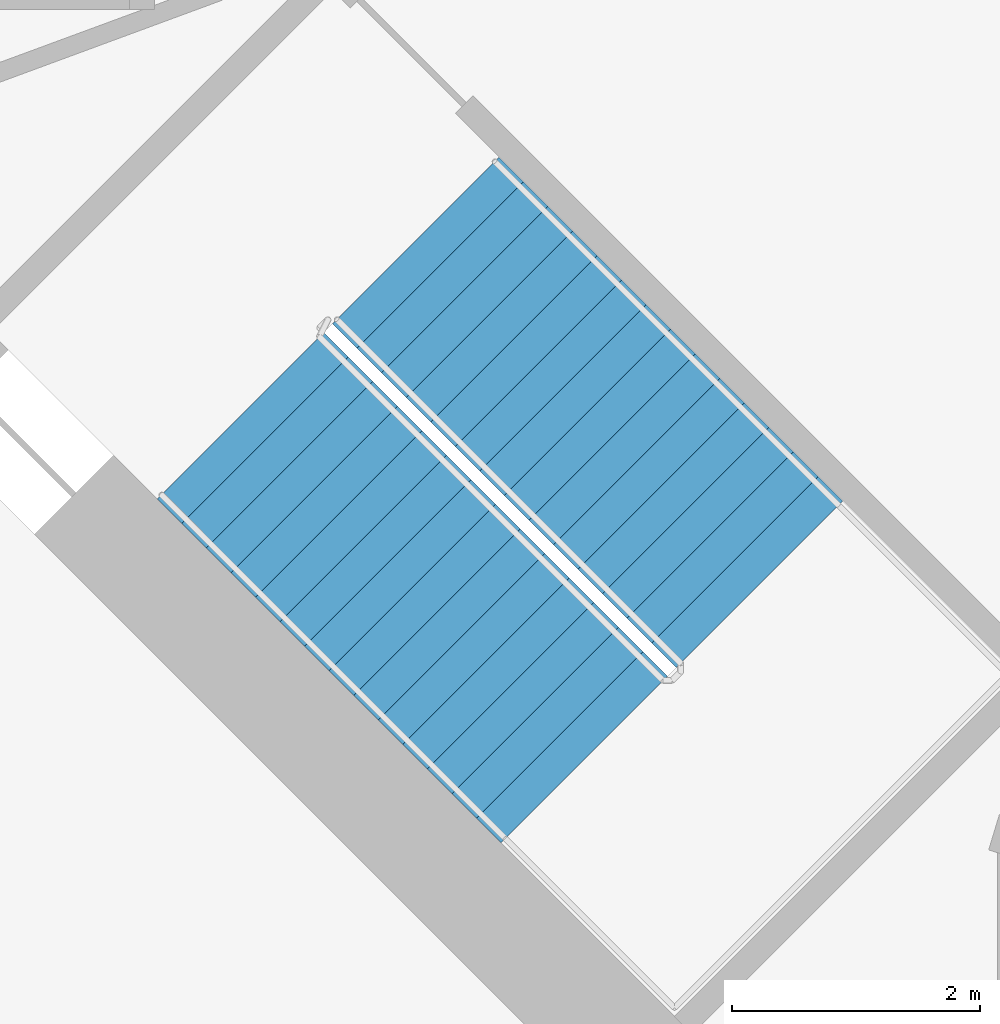
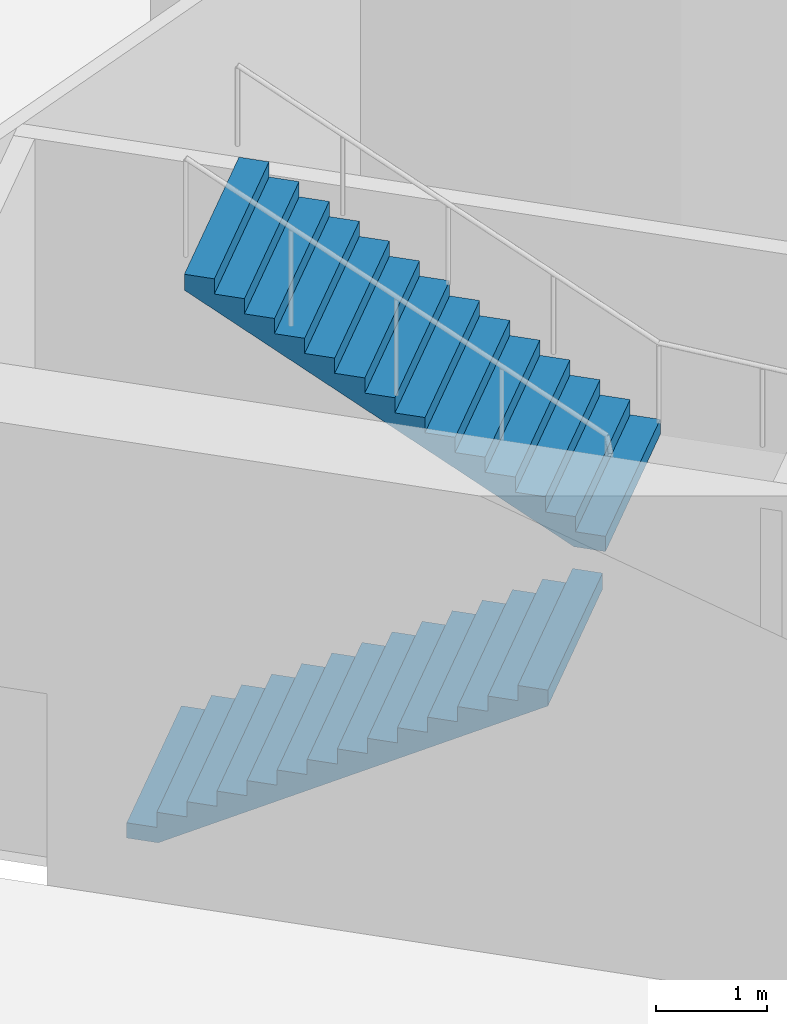
# One storey, part 13 of 16: 2 stair flights, 1 element without a shape of its own.
"""IFC4 building model written with IfcOpenShell, lengths in metres."""

from ifc_helpers import new_model, si_unit, direction, frame, origin, place, context, subcontext, project, spatial, triangles, material, type_object, element, aggregate, save


model = new_model("IFC4")

# Units and contexts
model_context = context("Model", 3, precision=1e-05, world=origin(), true_north=direction((0.0, 1.0)))
body_context = subcontext(model_context, "Body", "Model", "MODEL_VIEW")
ifc_project = project(units=[si_unit("LENGTHUNIT", "METRE"), si_unit("AREAUNIT", "SQUARE_METRE"), si_unit("VOLUMEUNIT", "CUBIC_METRE"), si_unit("PLANEANGLEUNIT", "RADIAN"), si_unit("MASSUNIT", "GRAM", prefix="KILO")], contexts=[model_context])

# Site, building, storey
site_placement = place(None, origin())
site = spatial("IfcSite", under=ifc_project, at=site_placement, CompositionType="ELEMENT")
building_placement = place(site_placement, origin())
building = spatial("IfcBuilding", under=site, at=building_placement, Name="Verdalira Terraces Hotel", CompositionType="ELEMENT")
storey_placement = place(building_placement, frame((0.0, 0.0, 34.0)))
storey = spatial("IfcBuildingStorey", under=building, at=storey_placement, Name="L06", CompositionType="ELEMENT", Elevation=34.0)

# Stair, stair flights
ifc_material_1 = material(Name="Concrete C40", Category="concrete")
stair_type = type_object("IfcStairType", Name="Core stair 30 risers 1900 mm wide", PredefinedType="HALF_TURN_STAIR", material=ifc_material_1)
stair_placement = place(storey_placement, origin())
stair = element("IfcStair", 1, at=stair_placement, inside=storey, type_object=stair_type, Name="L06 Exit stair ST2", PredefinedType="HALF_TURN_STAIR")
ifc_material_2 = material(Name="Concrete C40", Category="concrete")
stair_flight_type = type_object("IfcStairFlightType", Name="Core stair flight 30 risers 1900 mm wide", PredefinedType="STRAIGHT", material=ifc_material_2)
stair_flight_1_placement = place(storey_placement, frame((-10.005615, -7.177246, 0.0), z_axis=(0.0, 0.0, 1.0), x_axis=(0.707106781, -0.707106781, 0.0)))
stair_flight_1 = element("IfcStairFlight", 2, at=stair_flight_1_placement, type_object=stair_flight_type, Name="ST2 flight 1", NumberOfRisers=15, NumberOfTreads=14, PredefinedType="STRAIGHT", RiserHeight=0.166666667, TreadLength=0.28, context=body_context, shape_type="Tessellation", body=[
    triangles([(0.0, 0.949951, 0.0), (0.292969, 0.949951, 0.0), (3.919922, 0.949951, 2.158936), (0.0, -0.949951, 0.0), (0.292969, -0.949951, 0.0), (3.919922, -0.949951, 2.158936), (3.919922, 0.949951, 2.333252), (3.639893, 0.949951, 2.333252), (3.919922, -0.949951, 2.333252), (3.639893, -0.949951, 2.333252), (3.639893, 0.949951, 2.166748), (3.639893, -0.949951, 2.166748), (3.360107, 0.949951, 2.166748), (3.360107, -0.949951, 2.166748), (3.360107, 0.949951, 2.0), (3.360107, -0.949951, 2.0), (3.080078, 0.949951, 2.0), (3.080078, 0.949951, 1.833252), (3.080078, -0.949951, 2.0), (3.080078, -0.949951, 1.833252), (2.800049, 0.949951, 1.833252), (2.800049, 0.949951, 1.666748), (2.800049, -0.949951, 1.833252), (2.800049, -0.949951, 1.666748), (2.52002, 0.949951, 1.666748), (2.52002, 0.949951, 1.5), (2.52002, -0.949951, 1.666748), (2.52002, -0.949951, 1.5), (2.23999, 0.949951, 1.5), (2.23999, 0.949951, 1.333252), (2.23999, -0.949951, 1.5), (2.23999, -0.949951, 1.333252), (1.959961, 0.949951, 1.333252), (1.959961, 0.949951, 1.166748), (1.959961, -0.949951, 1.333252), (1.959961, -0.949951, 1.166748), (1.679932, 0.949951, 1.166748), (1.679932, 0.949951, 1.0), (1.679932, -0.949951, 1.166748), (1.679932, -0.949951, 1.0), (1.399902, 0.949951, 1.0), (1.399902, 0.949951, 0.833252), (1.399902, -0.949951, 1.0), (1.399902, -0.949951, 0.833252), (1.120117, 0.949951, 0.833252), (1.120117, 0.949951, 0.666748), (1.120117, -0.949951, 0.833252), (1.120117, -0.949951, 0.666748), (0.840088, 0.949951, 0.666748), (0.840088, 0.949951, 0.5), (0.840088, -0.949951, 0.666748), (0.840088, -0.949951, 0.5), (0.560059, 0.949951, 0.5), (0.560059, 0.949951, 0.333252), (0.560059, -0.949951, 0.5), (0.560059, -0.949951, 0.333252), (0.280029, 0.949951, 0.333252), (0.280029, 0.949951, 0.166748), (0.280029, -0.949951, 0.333252), (0.280029, -0.949951, 0.166748), (0.0, 0.949951, 0.166748), (0.0, -0.949951, 0.166748), (0.0, -0.890579, 0.0), (0.0, -0.890579, 0.166748), (0.0, -0.831207, 0.0), (0.0, -0.831207, 0.166748), (0.0, -0.771835, 0.0), (0.0, -0.771835, 0.166748), (0.0, -0.712463, 0.0), (0.0, -0.712463, 0.166748), (0.0, -0.653091, 0.0), (0.0, -0.653091, 0.166748), (0.0, -0.593719, 0.0), (0.0, -0.593719, 0.166748), (0.0, -0.534348, 0.0), (0.0, -0.534348, 0.166748), (0.0, -0.474976, 0.0), (0.0, -0.474976, 0.166748), (0.0, -0.415604, 0.0), (0.0, -0.415604, 0.166748), (0.0, -0.356232, 0.0), (0.0, -0.356232, 0.166748), (0.0, -0.29686, 0.0), (0.0, -0.29686, 0.166748), (0.0, -0.237488, 0.0), (0.0, -0.237488, 0.166748), (0.0, -0.178116, 0.0), (0.0, -0.178116, 0.166748), (0.0, -0.118744, 0.0), (0.0, -0.118744, 0.166748), (0.0, -0.059372, 0.0), (0.0, -0.059372, 0.166748), (0.0, 0.0, 0.0), (0.0, 0.0, 0.166748), (0.0, 0.059372, 0.0), (0.0, 0.059372, 0.166748), (0.0, 0.118744, 0.0), (0.0, 0.118744, 0.166748), (0.0, 0.178116, 0.0), (0.0, 0.178116, 0.166748), (0.0, 0.237488, 0.0), (0.0, 0.237488, 0.166748), (0.0, 0.29686, 0.0), (0.0, 0.29686, 0.166748), (0.0, 0.356232, 0.0), (0.0, 0.356232, 0.166748), (0.0, 0.415604, 0.0), (0.0, 0.415604, 0.166748), (0.0, 0.474976, 0.0), (0.0, 0.474976, 0.166748), (0.0, 0.534348, 0.0), (0.0, 0.534348, 0.166748), (0.0, 0.593719, 0.0), (0.0, 0.593719, 0.166748), (0.0, 0.653091, 0.0), (0.0, 0.653091, 0.166748), (0.0, 0.712463, 0.0), (0.0, 0.712463, 0.166748), (0.0, 0.771835, 0.0), (0.0, 0.771835, 0.166748), (0.0, 0.831207, 0.0), (0.0, 0.831207, 0.166748), (0.0, 0.890579, 0.0), (0.0, 0.890579, 0.166748), (3.919922, -0.890579, 2.333252), (3.919922, -0.831207, 2.333252), (3.919922, -0.771835, 2.333252), (3.919922, -0.712463, 2.333252), (3.919922, -0.653091, 2.333252), (3.919922, -0.593719, 2.333252), (3.919922, -0.534348, 2.333252), (3.919922, -0.474976, 2.333252), (3.919922, -0.415604, 2.333252), (3.919922, -0.356232, 2.333252), (3.919922, -0.29686, 2.333252), (3.919922, -0.237488, 2.333252), (3.919922, -0.178116, 2.333252), (3.919922, -0.118744, 2.333252), (3.919922, -0.059372, 2.333252), (3.919922, 0.0, 2.333252), (3.919922, 0.059372, 2.333252), (3.919922, 0.118744, 2.333252), (3.919922, 0.178116, 2.333252), (3.919922, 0.237488, 2.333252), (3.919922, 0.29686, 2.333252), (3.919922, 0.356232, 2.333252), (3.919922, 0.415604, 2.333252), (3.919922, 0.474976, 2.333252), (3.919922, 0.534348, 2.333252), (3.919922, 0.593719, 2.333252), (3.919922, 0.653091, 2.333252), (3.919922, 0.712463, 2.333252), (3.919922, 0.771835, 2.333252), (3.919922, 0.831207, 2.333252), (3.919922, 0.890579, 2.333252), (3.919922, -0.890579, 2.158936), (3.919922, -0.831207, 2.158936), (3.919922, -0.771835, 2.158936), (3.919922, -0.712463, 2.158936), (3.919922, -0.653091, 2.158936), (3.919922, -0.593719, 2.158936), (3.919922, -0.534348, 2.158936), (3.919922, -0.474976, 2.158936), (3.919922, -0.415604, 2.158936), (3.919922, -0.356232, 2.158936), (3.919922, -0.29686, 2.158936), (3.919922, -0.237488, 2.158936), (3.919922, -0.178116, 2.158936), (3.919922, -0.118744, 2.158936), (3.919922, -0.059372, 2.158936), (3.919922, 0.0, 2.158936), (3.919922, 0.059372, 2.158936), (3.919922, 0.118744, 2.158936), (3.919922, 0.178116, 2.158936), (3.919922, 0.237488, 2.158936), (3.919922, 0.29686, 2.158936), (3.919922, 0.356232, 2.158936), (3.919922, 0.415604, 2.158936), (3.919922, 0.474976, 2.158936), (3.919922, 0.534348, 2.158936), (3.919922, 0.593719, 2.158936), (3.919922, 0.653091, 2.158936), (3.919922, 0.712463, 2.158936), (3.919922, 0.771835, 2.158936), (3.919922, 0.831207, 2.158936), (3.919922, 0.890579, 2.158936)], [[1, 3, 2], [4, 5, 6], [3, 8, 7], [6, 9, 10], [3, 11, 8], [6, 10, 12], [3, 13, 11], [6, 12, 14], [3, 15, 13], [6, 14, 16], [15, 18, 17], [16, 19, 20], [3, 18, 15], [6, 16, 20], [18, 22, 21], [20, 23, 24], [3, 22, 18], [6, 20, 24], [22, 26, 25], [24, 27, 28], [3, 26, 22], [6, 24, 28], [26, 30, 29], [28, 31, 32], [3, 30, 26], [6, 28, 32], [30, 34, 33], [32, 35, 36], [3, 34, 30], [6, 32, 36], [34, 38, 37], [36, 39, 40], [3, 38, 34], [6, 36, 40], [38, 42, 41], [40, 43, 44], [3, 42, 38], [6, 40, 44], [42, 46, 45], [44, 47, 48], [3, 46, 42], [6, 44, 48], [46, 50, 49], [48, 51, 52], [3, 50, 46], [6, 48, 52], [50, 54, 53], [52, 55, 56], [3, 54, 50], [6, 52, 56], [1, 54, 3], [4, 6, 56], [54, 58, 57], [56, 59, 60], [1, 58, 54], [4, 56, 60], [58, 1, 61], [60, 62, 4], [4, 64, 63], [4, 62, 64], [63, 66, 65], [63, 64, 66], [65, 68, 67], [65, 66, 68], [67, 70, 69], [67, 68, 70], [69, 72, 71], [69, 70, 72], [71, 74, 73], [71, 72, 74], [73, 76, 75], [73, 74, 76], [75, 78, 77], [75, 76, 78], [77, 80, 79], [77, 78, 80], [79, 82, 81], [79, 80, 82], [81, 84, 83], [81, 82, 84], [83, 86, 85], [83, 84, 86], [85, 88, 87], [85, 86, 88], [87, 90, 89], [87, 88, 90], [89, 92, 91], [89, 90, 92], [91, 94, 93], [91, 92, 94], [93, 96, 95], [93, 94, 96], [95, 98, 97], [95, 96, 98], [97, 100, 99], [97, 98, 100], [99, 102, 101], [99, 100, 102], [101, 104, 103], [101, 102, 104], [103, 106, 105], [103, 104, 106], [105, 108, 107], [105, 106, 108], [107, 110, 109], [107, 108, 110], [109, 112, 111], [109, 110, 112], [111, 114, 113], [111, 112, 114], [113, 116, 115], [113, 114, 116], [115, 118, 117], [115, 116, 118], [117, 120, 119], [117, 118, 120], [119, 122, 121], [119, 120, 122], [121, 124, 123], [121, 122, 124], [123, 61, 1], [123, 124, 61], [62, 60, 64], [64, 60, 66], [66, 60, 68], [68, 60, 70], [70, 60, 72], [72, 60, 74], [74, 60, 76], [76, 60, 78], [78, 60, 80], [80, 60, 82], [82, 60, 84], [84, 60, 86], [86, 60, 88], [88, 60, 90], [90, 60, 92], [92, 60, 94], [94, 60, 96], [96, 60, 98], [98, 60, 100], [100, 60, 102], [102, 60, 104], [104, 60, 106], [106, 60, 108], [108, 60, 110], [110, 60, 112], [112, 60, 114], [114, 60, 116], [116, 60, 118], [118, 60, 120], [120, 60, 122], [122, 60, 124], [124, 60, 61], [61, 60, 58], [60, 57, 58], [60, 59, 57], [59, 54, 57], [59, 56, 54], [56, 53, 54], [56, 55, 53], [55, 50, 53], [55, 52, 50], [52, 49, 50], [52, 51, 49], [51, 46, 49], [51, 48, 46], [48, 45, 46], [48, 47, 45], [47, 42, 45], [47, 44, 42], [44, 41, 42], [44, 43, 41], [43, 38, 41], [43, 40, 38], [40, 37, 38], [40, 39, 37], [39, 34, 37], [39, 36, 34], [36, 33, 34], [36, 35, 33], [35, 30, 33], [35, 32, 30], [32, 29, 30], [32, 31, 29], [31, 26, 29], [31, 28, 26], [28, 25, 26], [28, 27, 25], [27, 22, 25], [27, 24, 22], [24, 21, 22], [24, 23, 21], [23, 18, 21], [23, 20, 18], [20, 17, 18], [20, 19, 17], [19, 15, 17], [19, 16, 15], [16, 13, 15], [16, 14, 13], [14, 11, 13], [14, 12, 11], [12, 8, 11], [12, 10, 8], [9, 125, 10], [125, 126, 10], [126, 127, 10], [127, 128, 10], [128, 129, 10], [129, 130, 10], [130, 131, 10], [131, 132, 10], [132, 133, 10], [133, 134, 10], [134, 135, 10], [135, 136, 10], [136, 137, 10], [137, 138, 10], [138, 139, 10], [139, 140, 10], [140, 141, 10], [141, 142, 10], [142, 143, 10], [143, 144, 10], [144, 145, 10], [145, 146, 10], [146, 147, 10], [147, 148, 10], [148, 149, 10], [149, 150, 10], [150, 151, 10], [151, 152, 10], [152, 153, 10], [153, 154, 10], [154, 155, 10], [155, 7, 10], [7, 8, 10], [9, 156, 125], [9, 6, 156], [125, 157, 126], [125, 156, 157], [126, 158, 127], [126, 157, 158], [127, 159, 128], [127, 158, 159], [128, 160, 129], [128, 159, 160], [129, 161, 130], [129, 160, 161], [130, 162, 131], [130, 161, 162], [131, 163, 132], [131, 162, 163], [132, 164, 133], [132, 163, 164], [133, 165, 134], [133, 164, 165], [134, 166, 135], [134, 165, 166], [135, 167, 136], [135, 166, 167], [136, 168, 137], [136, 167, 168], [137, 169, 138], [137, 168, 169], [138, 170, 139], [138, 169, 170], [139, 171, 140], [139, 170, 171], [140, 172, 141], [140, 171, 172], [141, 173, 142], [141, 172, 173], [142, 174, 143], [142, 173, 174], [143, 175, 144], [143, 174, 175], [144, 176, 145], [144, 175, 176], [145, 177, 146], [145, 176, 177], [146, 178, 147], [146, 177, 178], [147, 179, 148], [147, 178, 179], [148, 180, 149], [148, 179, 180], [149, 181, 150], [149, 180, 181], [150, 182, 151], [150, 181, 182], [151, 183, 152], [151, 182, 183], [152, 184, 153], [152, 183, 184], [153, 185, 154], [153, 184, 185], [154, 186, 155], [154, 185, 186], [155, 3, 7], [155, 186, 3], [6, 5, 156], [156, 5, 157], [157, 5, 158], [158, 5, 159], [159, 5, 160], [160, 5, 161], [161, 5, 162], [162, 5, 163], [163, 5, 164], [164, 5, 165], [165, 5, 166], [166, 5, 167], [167, 5, 168], [168, 5, 169], [169, 5, 170], [170, 5, 171], [171, 5, 172], [172, 5, 173], [173, 5, 174], [174, 5, 175], [175, 5, 176], [176, 5, 177], [177, 5, 178], [178, 5, 179], [179, 5, 180], [180, 5, 181], [181, 5, 182], [182, 5, 183], [183, 5, 184], [184, 5, 185], [185, 5, 186], [186, 5, 3], [3, 5, 2], [4, 63, 5], [63, 65, 5], [65, 67, 5], [67, 69, 5], [69, 71, 5], [71, 73, 5], [73, 75, 5], [75, 77, 5], [77, 79, 5], [79, 81, 5], [81, 83, 5], [83, 85, 5], [85, 87, 5], [87, 89, 5], [89, 91, 5], [91, 93, 5], [93, 95, 5], [95, 97, 5], [97, 99, 5], [99, 101, 5], [101, 103, 5], [103, 105, 5], [105, 107, 5], [107, 109, 5], [109, 111, 5], [111, 113, 5], [113, 115, 5], [115, 117, 5], [117, 119, 5], [119, 121, 5], [121, 123, 5], [123, 1, 5], [1, 2, 5]], closed=True),
])
stair_flight_2_placement = place(storey_placement, frame((-5.81958, -8.534668, 2.5), z_axis=(0.0, 0.0, 1.0), x_axis=(-0.707106781, 0.707106781, 0.0)))
stair_flight_2 = element("IfcStairFlight", 3, at=stair_flight_2_placement, type_object=stair_flight_type, Name="ST2 flight 2", NumberOfRisers=15, NumberOfTreads=14, PredefinedType="STRAIGHT", RiserHeight=0.166666667, TreadLength=0.28, context=body_context, shape_type="Tessellation", body=[
    triangles([(0.0, 0.949951, 0.0), (0.292969, 0.949951, 0.0), (3.919922, 0.949951, 2.158936), (0.0, -0.949951, 0.0), (0.292969, -0.949951, 0.0), (3.919922, -0.949951, 2.158936), (3.919922, 0.949951, 2.333252), (3.639893, 0.949951, 2.333252), (3.919922, -0.949951, 2.333252), (3.639893, -0.949951, 2.333252), (3.639893, 0.949951, 2.166748), (3.639893, -0.949951, 2.166748), (3.360107, 0.949951, 2.166748), (3.360107, -0.949951, 2.166748), (3.360107, 0.949951, 2.0), (3.360107, -0.949951, 2.0), (3.080078, 0.949951, 2.0), (3.080078, 0.949951, 1.833252), (3.080078, -0.949951, 2.0), (3.080078, -0.949951, 1.833252), (2.800049, 0.949951, 1.833252), (2.800049, 0.949951, 1.666748), (2.800049, -0.949951, 1.833252), (2.800049, -0.949951, 1.666748), (2.52002, 0.949951, 1.666748), (2.52002, 0.949951, 1.5), (2.52002, -0.949951, 1.666748), (2.52002, -0.949951, 1.5), (2.23999, 0.949951, 1.5), (2.23999, 0.949951, 1.333252), (2.23999, -0.949951, 1.5), (2.23999, -0.949951, 1.333252), (1.959961, 0.949951, 1.333252), (1.959961, 0.949951, 1.166748), (1.959961, -0.949951, 1.333252), (1.959961, -0.949951, 1.166748), (1.679932, 0.949951, 1.166748), (1.679932, 0.949951, 1.0), (1.679932, -0.949951, 1.166748), (1.679932, -0.949951, 1.0), (1.399902, 0.949951, 1.0), (1.399902, 0.949951, 0.833252), (1.399902, -0.949951, 1.0), (1.399902, -0.949951, 0.833252), (1.120117, 0.949951, 0.833252), (1.120117, 0.949951, 0.666748), (1.120117, -0.949951, 0.833252), (1.120117, -0.949951, 0.666748), (0.840088, 0.949951, 0.666748), (0.840088, 0.949951, 0.5), (0.840088, -0.949951, 0.666748), (0.840088, -0.949951, 0.5), (0.560059, 0.949951, 0.5), (0.560059, 0.949951, 0.333252), (0.560059, -0.949951, 0.5), (0.560059, -0.949951, 0.333252), (0.280029, 0.949951, 0.333252), (0.280029, 0.949951, 0.166748), (0.280029, -0.949951, 0.333252), (0.280029, -0.949951, 0.166748), (0.0, 0.949951, 0.166748), (0.0, -0.949951, 0.166748), (0.0, -0.890579, 0.0), (0.0, -0.890579, 0.166748), (0.0, -0.831207, 0.0), (0.0, -0.831207, 0.166748), (0.0, -0.771835, 0.0), (0.0, -0.771835, 0.166748), (0.0, -0.712463, 0.0), (0.0, -0.712463, 0.166748), (0.0, -0.653091, 0.0), (0.0, -0.653091, 0.166748), (0.0, -0.593719, 0.0), (0.0, -0.593719, 0.166748), (0.0, -0.534348, 0.0), (0.0, -0.534348, 0.166748), (0.0, -0.474976, 0.0), (0.0, -0.474976, 0.166748), (0.0, -0.415604, 0.0), (0.0, -0.415604, 0.166748), (0.0, -0.356232, 0.0), (0.0, -0.356232, 0.166748), (0.0, -0.29686, 0.0), (0.0, -0.29686, 0.166748), (0.0, -0.237488, 0.0), (0.0, -0.237488, 0.166748), (0.0, -0.178116, 0.0), (0.0, -0.178116, 0.166748), (0.0, -0.118744, 0.0), (0.0, -0.118744, 0.166748), (0.0, -0.059372, 0.0), (0.0, -0.059372, 0.166748), (0.0, 0.0, 0.0), (0.0, 0.0, 0.166748), (0.0, 0.059372, 0.0), (0.0, 0.059372, 0.166748), (0.0, 0.118744, 0.0), (0.0, 0.118744, 0.166748), (0.0, 0.178116, 0.0), (0.0, 0.178116, 0.166748), (0.0, 0.237488, 0.0), (0.0, 0.237488, 0.166748), (0.0, 0.29686, 0.0), (0.0, 0.29686, 0.166748), (0.0, 0.356232, 0.0), (0.0, 0.356232, 0.166748), (0.0, 0.415604, 0.0), (0.0, 0.415604, 0.166748), (0.0, 0.474976, 0.0), (0.0, 0.474976, 0.166748), (0.0, 0.534348, 0.0), (0.0, 0.534348, 0.166748), (0.0, 0.593719, 0.0), (0.0, 0.593719, 0.166748), (0.0, 0.653091, 0.0), (0.0, 0.653091, 0.166748), (0.0, 0.712463, 0.0), (0.0, 0.712463, 0.166748), (0.0, 0.771835, 0.0), (0.0, 0.771835, 0.166748), (0.0, 0.831207, 0.0), (0.0, 0.831207, 0.166748), (0.0, 0.890579, 0.0), (0.0, 0.890579, 0.166748), (3.919922, -0.890579, 2.333252), (3.919922, -0.831207, 2.333252), (3.919922, -0.771835, 2.333252), (3.919922, -0.712463, 2.333252), (3.919922, -0.653091, 2.333252), (3.919922, -0.593719, 2.333252), (3.919922, -0.534348, 2.333252), (3.919922, -0.474976, 2.333252), (3.919922, -0.415604, 2.333252), (3.919922, -0.356232, 2.333252), (3.919922, -0.29686, 2.333252), (3.919922, -0.237488, 2.333252), (3.919922, -0.178116, 2.333252), (3.919922, -0.118744, 2.333252), (3.919922, -0.059372, 2.333252), (3.919922, 0.0, 2.333252), (3.919922, 0.059372, 2.333252), (3.919922, 0.118744, 2.333252), (3.919922, 0.178116, 2.333252), (3.919922, 0.237488, 2.333252), (3.919922, 0.29686, 2.333252), (3.919922, 0.356232, 2.333252), (3.919922, 0.415604, 2.333252), (3.919922, 0.474976, 2.333252), (3.919922, 0.534348, 2.333252), (3.919922, 0.593719, 2.333252), (3.919922, 0.653091, 2.333252), (3.919922, 0.712463, 2.333252), (3.919922, 0.771835, 2.333252), (3.919922, 0.831207, 2.333252), (3.919922, 0.890579, 2.333252), (3.919922, -0.890579, 2.158936), (3.919922, -0.831207, 2.158936), (3.919922, -0.771835, 2.158936), (3.919922, -0.712463, 2.158936), (3.919922, -0.653091, 2.158936), (3.919922, -0.593719, 2.158936), (3.919922, -0.534348, 2.158936), (3.919922, -0.474976, 2.158936), (3.919922, -0.415604, 2.158936), (3.919922, -0.356232, 2.158936), (3.919922, -0.29686, 2.158936), (3.919922, -0.237488, 2.158936), (3.919922, -0.178116, 2.158936), (3.919922, -0.118744, 2.158936), (3.919922, -0.059372, 2.158936), (3.919922, 0.0, 2.158936), (3.919922, 0.059372, 2.158936), (3.919922, 0.118744, 2.158936), (3.919922, 0.178116, 2.158936), (3.919922, 0.237488, 2.158936), (3.919922, 0.29686, 2.158936), (3.919922, 0.356232, 2.158936), (3.919922, 0.415604, 2.158936), (3.919922, 0.474976, 2.158936), (3.919922, 0.534348, 2.158936), (3.919922, 0.593719, 2.158936), (3.919922, 0.653091, 2.158936), (3.919922, 0.712463, 2.158936), (3.919922, 0.771835, 2.158936), (3.919922, 0.831207, 2.158936), (3.919922, 0.890579, 2.158936)], [[1, 3, 2], [4, 5, 6], [3, 8, 7], [6, 9, 10], [3, 11, 8], [6, 10, 12], [3, 13, 11], [6, 12, 14], [3, 15, 13], [6, 14, 16], [15, 18, 17], [16, 19, 20], [3, 18, 15], [6, 16, 20], [18, 22, 21], [20, 23, 24], [3, 22, 18], [6, 20, 24], [22, 26, 25], [24, 27, 28], [3, 26, 22], [6, 24, 28], [26, 30, 29], [28, 31, 32], [3, 30, 26], [6, 28, 32], [30, 34, 33], [32, 35, 36], [3, 34, 30], [6, 32, 36], [34, 38, 37], [36, 39, 40], [3, 38, 34], [6, 36, 40], [38, 42, 41], [40, 43, 44], [3, 42, 38], [6, 40, 44], [42, 46, 45], [44, 47, 48], [3, 46, 42], [6, 44, 48], [46, 50, 49], [48, 51, 52], [3, 50, 46], [6, 48, 52], [50, 54, 53], [52, 55, 56], [3, 54, 50], [6, 52, 56], [1, 54, 3], [4, 6, 56], [54, 58, 57], [56, 59, 60], [1, 58, 54], [4, 56, 60], [58, 1, 61], [60, 62, 4], [4, 64, 63], [4, 62, 64], [63, 66, 65], [63, 64, 66], [65, 68, 67], [65, 66, 68], [67, 70, 69], [67, 68, 70], [69, 72, 71], [69, 70, 72], [71, 74, 73], [71, 72, 74], [73, 76, 75], [73, 74, 76], [75, 78, 77], [75, 76, 78], [77, 80, 79], [77, 78, 80], [79, 82, 81], [79, 80, 82], [81, 84, 83], [81, 82, 84], [83, 86, 85], [83, 84, 86], [85, 88, 87], [85, 86, 88], [87, 90, 89], [87, 88, 90], [89, 92, 91], [89, 90, 92], [91, 94, 93], [91, 92, 94], [93, 96, 95], [93, 94, 96], [95, 98, 97], [95, 96, 98], [97, 100, 99], [97, 98, 100], [99, 102, 101], [99, 100, 102], [101, 104, 103], [101, 102, 104], [103, 106, 105], [103, 104, 106], [105, 108, 107], [105, 106, 108], [107, 110, 109], [107, 108, 110], [109, 112, 111], [109, 110, 112], [111, 114, 113], [111, 112, 114], [113, 116, 115], [113, 114, 116], [115, 118, 117], [115, 116, 118], [117, 120, 119], [117, 118, 120], [119, 122, 121], [119, 120, 122], [121, 124, 123], [121, 122, 124], [123, 61, 1], [123, 124, 61], [62, 60, 64], [64, 60, 66], [66, 60, 68], [68, 60, 70], [70, 60, 72], [72, 60, 74], [74, 60, 76], [76, 60, 78], [78, 60, 80], [80, 60, 82], [82, 60, 84], [84, 60, 86], [86, 60, 88], [88, 60, 90], [90, 60, 92], [92, 60, 94], [94, 60, 96], [96, 60, 98], [98, 60, 100], [100, 60, 102], [102, 60, 104], [104, 60, 106], [106, 60, 108], [108, 60, 110], [110, 60, 112], [112, 60, 114], [114, 60, 116], [116, 60, 118], [118, 60, 120], [120, 60, 122], [122, 60, 124], [124, 60, 61], [61, 60, 58], [60, 57, 58], [60, 59, 57], [59, 54, 57], [59, 56, 54], [56, 53, 54], [56, 55, 53], [55, 50, 53], [55, 52, 50], [52, 49, 50], [52, 51, 49], [51, 46, 49], [51, 48, 46], [48, 45, 46], [48, 47, 45], [47, 42, 45], [47, 44, 42], [44, 41, 42], [44, 43, 41], [43, 38, 41], [43, 40, 38], [40, 37, 38], [40, 39, 37], [39, 34, 37], [39, 36, 34], [36, 33, 34], [36, 35, 33], [35, 30, 33], [35, 32, 30], [32, 29, 30], [32, 31, 29], [31, 26, 29], [31, 28, 26], [28, 25, 26], [28, 27, 25], [27, 22, 25], [27, 24, 22], [24, 21, 22], [24, 23, 21], [23, 18, 21], [23, 20, 18], [20, 17, 18], [20, 19, 17], [19, 15, 17], [19, 16, 15], [16, 13, 15], [16, 14, 13], [14, 11, 13], [14, 12, 11], [12, 8, 11], [12, 10, 8], [9, 125, 10], [125, 126, 10], [126, 127, 10], [127, 128, 10], [128, 129, 10], [129, 130, 10], [130, 131, 10], [131, 132, 10], [132, 133, 10], [133, 134, 10], [134, 135, 10], [135, 136, 10], [136, 137, 10], [137, 138, 10], [138, 139, 10], [139, 140, 10], [140, 141, 10], [141, 142, 10], [142, 143, 10], [143, 144, 10], [144, 145, 10], [145, 146, 10], [146, 147, 10], [147, 148, 10], [148, 149, 10], [149, 150, 10], [150, 151, 10], [151, 152, 10], [152, 153, 10], [153, 154, 10], [154, 155, 10], [155, 7, 10], [7, 8, 10], [9, 156, 125], [9, 6, 156], [125, 157, 126], [125, 156, 157], [126, 158, 127], [126, 157, 158], [127, 159, 128], [127, 158, 159], [128, 160, 129], [128, 159, 160], [129, 161, 130], [129, 160, 161], [130, 162, 131], [130, 161, 162], [131, 163, 132], [131, 162, 163], [132, 164, 133], [132, 163, 164], [133, 165, 134], [133, 164, 165], [134, 166, 135], [134, 165, 166], [135, 167, 136], [135, 166, 167], [136, 168, 137], [136, 167, 168], [137, 169, 138], [137, 168, 169], [138, 170, 139], [138, 169, 170], [139, 171, 140], [139, 170, 171], [140, 172, 141], [140, 171, 172], [141, 173, 142], [141, 172, 173], [142, 174, 143], [142, 173, 174], [143, 175, 144], [143, 174, 175], [144, 176, 145], [144, 175, 176], [145, 177, 146], [145, 176, 177], [146, 178, 147], [146, 177, 178], [147, 179, 148], [147, 178, 179], [148, 180, 149], [148, 179, 180], [149, 181, 150], [149, 180, 181], [150, 182, 151], [150, 181, 182], [151, 183, 152], [151, 182, 183], [152, 184, 153], [152, 183, 184], [153, 185, 154], [153, 184, 185], [154, 186, 155], [154, 185, 186], [155, 3, 7], [155, 186, 3], [6, 5, 156], [156, 5, 157], [157, 5, 158], [158, 5, 159], [159, 5, 160], [160, 5, 161], [161, 5, 162], [162, 5, 163], [163, 5, 164], [164, 5, 165], [165, 5, 166], [166, 5, 167], [167, 5, 168], [168, 5, 169], [169, 5, 170], [170, 5, 171], [171, 5, 172], [172, 5, 173], [173, 5, 174], [174, 5, 175], [175, 5, 176], [176, 5, 177], [177, 5, 178], [178, 5, 179], [179, 5, 180], [180, 5, 181], [181, 5, 182], [182, 5, 183], [183, 5, 184], [184, 5, 185], [185, 5, 186], [186, 5, 3], [3, 5, 2], [4, 63, 5], [63, 65, 5], [65, 67, 5], [67, 69, 5], [69, 71, 5], [71, 73, 5], [73, 75, 5], [75, 77, 5], [77, 79, 5], [79, 81, 5], [81, 83, 5], [83, 85, 5], [85, 87, 5], [87, 89, 5], [89, 91, 5], [91, 93, 5], [93, 95, 5], [95, 97, 5], [97, 99, 5], [99, 101, 5], [101, 103, 5], [103, 105, 5], [105, 107, 5], [107, 109, 5], [109, 111, 5], [111, 113, 5], [113, 115, 5], [115, 117, 5], [117, 119, 5], [119, 121, 5], [121, 123, 5], [123, 1, 5], [1, 2, 5]], closed=True),
])
aggregate(stair, [stair_flight_1, stair_flight_2])

save(model, "model.ifc")
